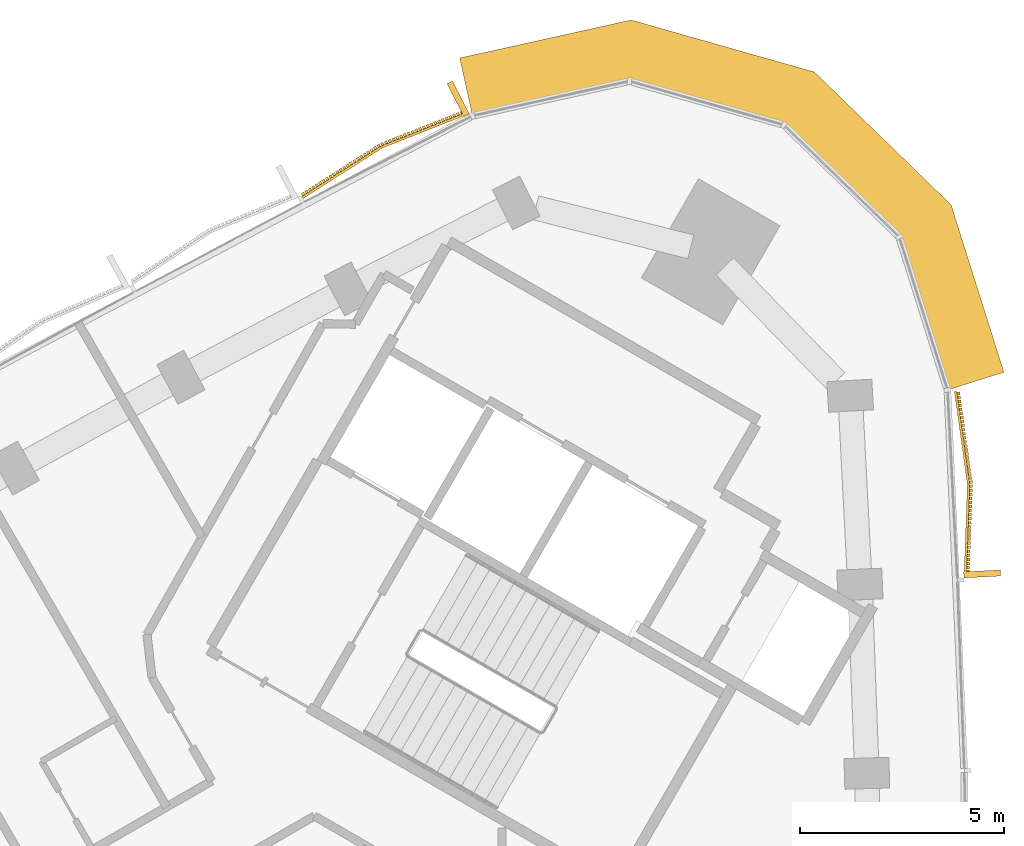
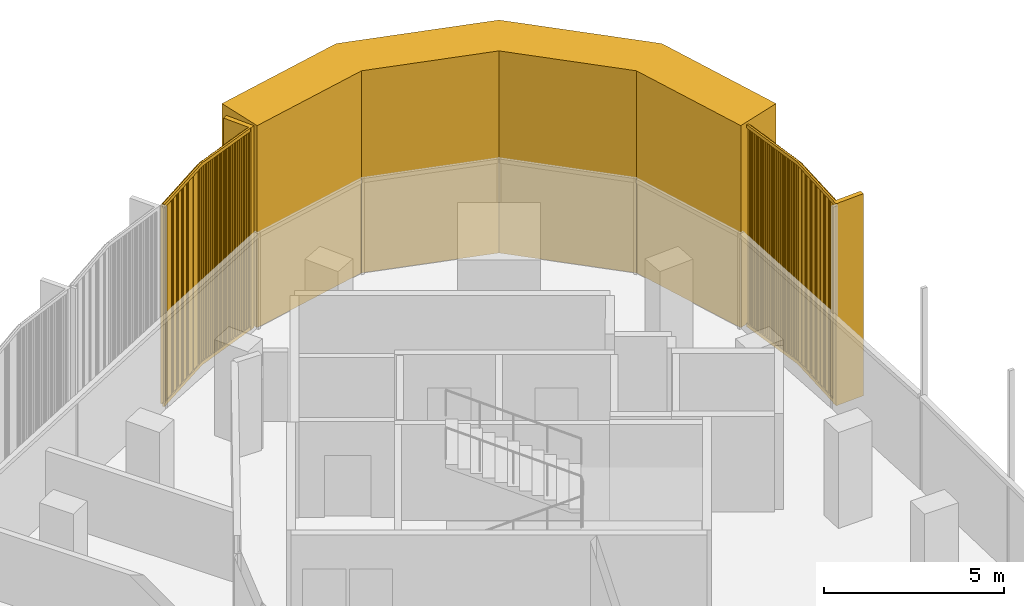
# One storey, part 16 of 16: 3 coverings.
"""IFC4 building model written with IfcOpenShell, lengths in metres."""

import ifcopenshell
import ifcopenshell.guid

model = None  # the IFC model being written
_history = None  # IfcOwnerHistory: only IFC2X3 demands one
_inside = {}  # id of a spatial element -> (the spatial element, [elements in it])
_under = {}  # id of a project, library or spatial element -> (it, [spatial elements below it])
_declared = {}  # id of a project -> (the project, [libraries it declares])
_typed = {}  # id of a type object -> (the type object, [elements of that type])
_made_of = {}  # id of a material, layer set ... -> (it, [elements and type objects made of it])


def new_model(schema):
    """Start an empty IFC model of exactly this schema.

    Asked for "IFC4X3", IfcOpenShell would pick the latest addendum, in which some entities
    have other attributes; the version numbers below select the first issue.
    IFC2X3 requires an IfcOwnerHistory on every rooted entity: one is made here for all.
    """
    global model, _history
    if schema == "IFC4X3":
        model = ifcopenshell.file(schema_version=(4, 3, 0, 0))
    else:
        model = ifcopenshell.file(schema=schema)
    _inside.clear()
    _under.clear()
    _declared.clear()
    _typed.clear()
    _made_of.clear()
    _history = None
    if model.schema == "IFC2X3":
        org = make("IfcOrganization", Name="unknown")
        user = make(
            "IfcPersonAndOrganization",
            ThePerson=make("IfcPerson", FamilyName="unknown"),
            TheOrganization=org,
        )
        app = make(
            "IfcApplication",
            ApplicationDeveloper=org,
            Version="unknown",
            ApplicationFullName="unknown",
            ApplicationIdentifier="unknown",
        )
        _history = make(
            "IfcOwnerHistory",
            OwningUser=user,
            OwningApplication=app,
            ChangeAction="ADDED",
            CreationDate=0,
        )
    return model


def make(cls, **values):
    """One entity of the class cls with the attributes given. An attribute that is None is left unset."""
    return model.create_entity(
        cls, **{name: value for name, value in values.items() if value is not None}
    )


def rooted(cls, **values):
    """An entity with a GlobalId (a new one), such as an element, a storey or a relation."""
    return make(cls, GlobalId=ifcopenshell.guid.new(), OwnerHistory=_history, **values)


def si_unit(unit_type, name, prefix=None):
    """IfcSIUnit, for example si_unit("LENGTHUNIT", "METRE", prefix="MILLI")."""
    return make("IfcSIUnit", UnitType=unit_type, Prefix=prefix, Name=name)


def assignment(units):
    """IfcUnitAssignment: the units of a project."""
    return None if units is None else make("IfcUnitAssignment", Units=units)


def point(xyz):
    """IfcCartesianPoint."""
    return None if xyz is None else make("IfcCartesianPoint", Coordinates=xyz)


def direction(xyz):
    """IfcDirection."""
    return None if xyz is None else make("IfcDirection", DirectionRatios=xyz)


def frame(location, z_axis=None, x_axis=None):
    """IfcAxis2Placement3D, a coordinate frame: its origin and axes. An axis left out is left unset."""
    return make(
        "IfcAxis2Placement3D",
        Location=point(location),
        Axis=direction(z_axis),
        RefDirection=direction(x_axis),
    )


def frame_2d(location, x_axis=None):
    """IfcAxis2Placement2D, a coordinate frame in the plane: its origin and x axis."""
    return make(
        "IfcAxis2Placement2D", Location=point(location), RefDirection=direction(x_axis)
    )


def origin():
    """The frame at (0, 0, 0) with its axes left unset."""
    return frame((0.0, 0.0, 0.0))


def place(relative_to, where):
    """IfcLocalPlacement: puts the frame where relative to a parent placement (None: the world)."""
    return make(
        "IfcLocalPlacement", PlacementRelTo=relative_to, RelativePlacement=where
    )


def context(
    kind, dimensions, precision=None, world=None, true_north=None, identifier=None
):
    """IfcGeometricRepresentationContext, for example the 3D "Model" context."""
    return make(
        "IfcGeometricRepresentationContext",
        ContextIdentifier=identifier,
        ContextType=kind,
        CoordinateSpaceDimension=dimensions,
        Precision=precision,
        WorldCoordinateSystem=world,
        TrueNorth=true_north,
    )


def subcontext(parent, identifier, kind, view, scale=None):
    """IfcGeometricRepresentationSubContext, for example "Body" below "Model"."""
    return make(
        "IfcGeometricRepresentationSubContext",
        ContextIdentifier=identifier,
        ContextType=kind,
        ParentContext=parent,
        TargetScale=scale,
        TargetView=view,
    )


def project(units=None, contexts=None):
    """IfcProject with its units and contexts."""
    return rooted(
        "IfcProject",
        Name="project",
        RepresentationContexts=contexts,
        UnitsInContext=assignment(units),
    )


def spatial(cls, under=None, at=None, **own):
    """A site, building, storey or space (cls), placed at a placement, below another one or the project."""
    s = rooted(cls, ObjectPlacement=at, **own)
    if under is not None:
        _under.setdefault(under.id(), (under, []))[1].append(s)
    return s


def polyline(points):
    """IfcPolyline through the points."""
    return make("IfcPolyline", Points=[point(p) for p in points])


def profile(cls, at=None, kind="AREA", **sizes):
    """A parametric profile (cls). Its sizes go by their IFC names, for example OverallWidth=200.0."""
    return make(cls, ProfileType=kind, Position=at, **sizes)


def rectangle(**sizes):
    """IfcRectangleProfileDef."""
    return profile("IfcRectangleProfileDef", **sizes)


def outline(outer, holes=None, kind="AREA"):
    """IfcArbitraryClosedProfileDef: a profile drawn as a closed curve; with holes, ...WithVoids."""
    if holes is None:
        return make("IfcArbitraryClosedProfileDef", ProfileType=kind, OuterCurve=outer)
    return make(
        "IfcArbitraryProfileDefWithVoids",
        ProfileType=kind,
        OuterCurve=outer,
        InnerCurves=holes,
    )


def extrude(swept, where, along, depth):
    """IfcExtrudedAreaSolid: the profile swept, set in the frame where, extruded along a direction by depth."""
    return make(
        "IfcExtrudedAreaSolid",
        SweptArea=swept,
        Position=where,
        ExtrudedDirection=direction(along),
        Depth=depth,
    )


def shape(context_of_items, identifier, shape_type, items):
    """IfcShapeRepresentation: the items that make up one representation, for example the "Body"."""
    return make(
        "IfcShapeRepresentation",
        ContextOfItems=context_of_items,
        RepresentationIdentifier=identifier,
        RepresentationType=shape_type,
        Items=items,
    )


def source(mapping_origin, context_of_items, identifier, shape_type, items):
    """IfcRepresentationMap: a shape defined once, which mapped items show again and again."""
    return make(
        "IfcRepresentationMap",
        MappingOrigin=mapping_origin,
        MappedRepresentation=shape(context_of_items, identifier, shape_type, items),
    )


def transform(
    local_origin,
    x_axis=None,
    y_axis=None,
    z_axis=None,
    scale=None,
    scale2=None,
    scale3=None,
    uniform=True,
):
    """IfcCartesianTransformationOperator3D, or its non-uniform kind. x_axis, y_axis, z_axis: its Axis1, 2, 3."""
    if uniform:
        return make(
            "IfcCartesianTransformationOperator3D",
            Axis1=direction(x_axis),
            Axis2=direction(y_axis),
            LocalOrigin=point(local_origin),
            Scale=scale,
            Axis3=direction(z_axis),
        )
    return make(
        "IfcCartesianTransformationOperator3DnonUniform",
        Axis1=direction(x_axis),
        Axis2=direction(y_axis),
        LocalOrigin=point(local_origin),
        Scale=scale,
        Axis3=direction(z_axis),
        Scale2=scale2,
        Scale3=scale3,
    )


def mapped(mapping_source, mapping_target):
    """IfcMappedItem: shows the shape of a source again, moved by a transform."""
    return make(
        "IfcMappedItem", MappingSource=mapping_source, MappingTarget=mapping_target
    )


def material(Name=None, Category=None):
    """IfcMaterial."""
    return make("IfcMaterial", Name=Name, Category=Category)


def layer(
    of_material, thickness, ventilated=None, Name=None, Category=None, Priority=None
):
    """IfcMaterialLayer: one layer of a wall or slab, of a material (None: an air gap)."""
    return make(
        "IfcMaterialLayer",
        Material=of_material,
        LayerThickness=thickness,
        IsVentilated=ventilated,
        Name=Name,
        Category=Category,
        Priority=Priority,
    )


def layer_set(layers, Name=None):
    """IfcMaterialLayerSet."""
    return make("IfcMaterialLayerSet", MaterialLayers=layers, LayerSetName=Name)


def made_of(thing, what):
    """Note that an element or type object is made of a material, layer set ...; save() writes the relation."""
    if what is not None:
        _made_of.setdefault(what.id(), (what, []))[1].append(thing)
    return thing


def type_object(cls, material=None, **own):
    """A type object (cls), such as IfcWallType, which elements share."""
    return made_of(rooted(cls, **own), material)


def element(
    cls,
    number,
    at=None,
    inside=None,
    cuts=None,
    type_object=None,
    material=None,
    context=None,
    identifier="Body",
    shape_type=None,
    held_by="IfcProductDefinitionShape",
    body=None,
    shapes=None,
    **own,
):
    """One element of the class cls, such as IfcWall. Its Tag is "e" and its number.

    at: its placement. inside: the storey or other place that contains it. cuts: it is an
    opening in that element (IfcRelVoidsElement). A single representation is given by context,
    identifier, shape_type and body (its items); several are given by shapes. held_by: the class
    of the entity that holds the representations. save() writes the other relations.
    """
    e = rooted(cls, Tag="e%d" % number, ObjectPlacement=at, **own)
    if body is not None:
        shapes = [shape(context, identifier, shape_type, body)]
    if shapes is not None:
        e.Representation = make(held_by, Representations=shapes)
    if inside is not None:
        _inside.setdefault(inside.id(), (inside, []))[1].append(e)
    if cuts is not None:
        rooted(
            "IfcRelVoidsElement", RelatingBuildingElement=cuts, RelatedOpeningElement=e
        )
    if type_object is not None:
        _typed.setdefault(type_object.id(), (type_object, []))[1].append(e)
    return made_of(e, material)


def aggregate(whole, parts):
    """IfcRelAggregates: a whole, such as a stair, and the parts it consists of."""
    return rooted("IfcRelAggregates", RelatingObject=whole, RelatedObjects=parts)


def save(model, path):
    """Write the relations noted so far, then the file.

    IfcRelAggregates (storeys below a building ...), IfcRelContainedInSpatialStructure (elements
    in a storey), IfcRelDefinesByType, IfcRelAssociatesMaterial and IfcRelDeclares: one each for
    every whole, place, type object, material and project.
    """
    for whole, parts in _under.values():
        aggregate(whole, parts)
    for where, things in _inside.values():
        rooted(
            "IfcRelContainedInSpatialStructure",
            RelatedElements=things,
            RelatingStructure=where,
        )
    for kind, things in _typed.values():
        rooted("IfcRelDefinesByType", RelatedObjects=things, RelatingType=kind)
    for what, things in _made_of.values():
        rooted("IfcRelAssociatesMaterial", RelatedObjects=things, RelatingMaterial=what)
    for by, libraries in _declared.values():
        rooted("IfcRelDeclares", RelatingContext=by, RelatedDefinitions=libraries)
    model.write(path)


model = new_model("IFC4")

# Units and contexts
model_context = context("Model", 3, precision=1e-05, world=origin(), true_north=direction((0.0, 1.0)))
body_context = subcontext(model_context, "Body", "Model", "MODEL_VIEW")
ifc_project = project(units=[si_unit("LENGTHUNIT", "METRE"), si_unit("AREAUNIT", "SQUARE_METRE"), si_unit("VOLUMEUNIT", "CUBIC_METRE"), si_unit("PLANEANGLEUNIT", "RADIAN"), si_unit("MASSUNIT", "GRAM", prefix="KILO")], contexts=[model_context])

# Site, building, storey
site_placement = place(None, origin())
site = spatial("IfcSite", under=ifc_project, at=site_placement, CompositionType="ELEMENT")
building_placement = place(site_placement, origin())
building = spatial("IfcBuilding", under=site, at=building_placement, Name="Tamra Quay Hotel Tower", CompositionType="ELEMENT")
storey_placement = place(building_placement, frame((0.0, 0.0, 232.199951171875)))
storey = spatial("IfcBuildingStorey", under=building, at=storey_placement, Name="L58", CompositionType="ELEMENT", Elevation=232.199951171875)

# Coverings
ifc_material_1 = material(Name="Precast concrete M60 terracotta-coloured", Category="masonry")
ifc_layer = layer(ifc_material_1, 1.449951171875)
ifc_layer_set = layer_set([ifc_layer], Name="CORNER PIER PANEL")
covering_type_1 = type_object("IfcCoveringType", Name="CORNER PIER PANEL", PredefinedType="CLADDING", material=ifc_layer_set)
covering_1_placement = place(storey_placement, origin())
element("IfcCovering", 1, at=covering_1_placement, inside=storey, type_object=covering_type_1, Name="Corner pier L58.east", PredefinedType="CLADDING", context=body_context, shape_type="SweptSolid", body=[
    extrude(outline(polyline([(18.50732421875, 18.63037109375), (19.89013671875, 19.066650390625), (18.5966796875, 23.165771484375), (15.250732421875, 26.415283203125), (10.763671875, 27.68798828125), (6.567138671875, 26.758544921875), (6.880615234375, 25.343017578125), (10.719970703125, 26.193115234375), (14.503173828125, 25.1201171875), (17.323974609375, 22.38037109375), (18.50732421875, 18.63037109375)])), origin(), (0.0, 0.0, 1.0), 6.85009765625),
])
ifc_material_2 = material(Name="Terracotta baguette extruded", Category="masonry")
covering_type_2 = type_object("IfcCoveringType", Name="BAGUETTE SCREEN E-V H6850", PredefinedType="USERDEFINED", material=ifc_material_2)
shared_shape_1 = source(origin(), body_context, "Body", "SweptSolid", [
    extrude(rectangle(XDim=2.291259765625, YDim=0.06005859375, at=frame_2d((1.1455078125, 0.030029296875))), frame((-2.287841796875, -0.057861328125, -0.1201171875), z_axis=(0.0, 0.0, 1.0), x_axis=(0.996194698092, -0.087155742748, 0.0)), (0.0, 0.0, 1.0), 0.1201171875),
    extrude(rectangle(XDim=2.291259765625, YDim=0.06005859375, at=frame_2d((1.1455078125, 0.030029296875))), frame((-2.287841796875, -0.057861328125, -6.85009765625), z_axis=(0.0, 0.0, 1.0), x_axis=(0.996194698092, -0.087155742748, 0.0)), (0.0, 0.0, 1.0), 0.1201171875),
    extrude(rectangle(XDim=0.070068359375, YDim=0.10009765625, at=frame_2d((0.03515625, 0.050048828125))), frame((-2.267822265625, -0.13232421875, -6.7900390625)), (0.0, 0.0, 1.0), 6.72998046875),
    extrude(rectangle(XDim=0.070068359375, YDim=0.10009765625, at=frame_2d((0.03515625, 0.050048828125))), frame((-2.168701171875, -0.14111328125, -6.7900390625)), (0.0, 0.0, 1.0), 6.72998046875),
    extrude(rectangle(XDim=0.070068359375, YDim=0.10009765625, at=frame_2d((0.03515625, 0.050048828125))), frame((-2.0693359375, -0.149658203125, -6.7900390625)), (0.0, 0.0, 1.0), 6.72998046875),
    extrude(rectangle(XDim=0.070068359375, YDim=0.10009765625, at=frame_2d((0.03515625, 0.050048828125))), frame((-1.97021484375, -0.158447265625, -6.7900390625)), (0.0, 0.0, 1.0), 6.72998046875),
    extrude(rectangle(XDim=0.070068359375, YDim=0.10009765625, at=frame_2d((0.03515625, 0.050048828125))), frame((-1.870849609375, -0.1669921875, -6.7900390625)), (0.0, 0.0, 1.0), 6.72998046875),
    extrude(rectangle(XDim=0.070068359375, YDim=0.10009765625, at=frame_2d((0.03515625, 0.050048828125))), frame((-1.771728515625, -0.17578125, -6.7900390625)), (0.0, 0.0, 1.0), 6.72998046875),
    extrude(rectangle(XDim=0.070068359375, YDim=0.10009765625, at=frame_2d((0.03515625, 0.050048828125))), frame((-1.67236328125, -0.184326171875, -6.7900390625)), (0.0, 0.0, 1.0), 6.72998046875),
    extrude(rectangle(XDim=0.070068359375, YDim=0.10009765625, at=frame_2d((0.03515625, 0.050048828125))), frame((-1.5732421875, -0.193115234375, -6.7900390625)), (0.0, 0.0, 1.0), 6.72998046875),
    extrude(rectangle(XDim=0.070068359375, YDim=0.10009765625, at=frame_2d((0.03515625, 0.050048828125))), frame((-1.473876953125, -0.201904296875, -6.7900390625)), (0.0, 0.0, 1.0), 6.72998046875),
    extrude(rectangle(XDim=0.070068359375, YDim=0.10009765625, at=frame_2d((0.03515625, 0.050048828125))), frame((-1.374755859375, -0.21044921875, -6.7900390625)), (0.0, 0.0, 1.0), 6.72998046875),
    extrude(rectangle(XDim=0.070068359375, YDim=0.10009765625, at=frame_2d((0.03515625, 0.050048828125))), frame((-1.275390625, -0.21923828125, -6.7900390625)), (0.0, 0.0, 1.0), 6.72998046875),
    extrude(rectangle(XDim=0.070068359375, YDim=0.10009765625, at=frame_2d((0.03515625, 0.050048828125))), frame((-1.17626953125, -0.227783203125, -6.7900390625)), (0.0, 0.0, 1.0), 6.72998046875),
    extrude(rectangle(XDim=0.070068359375, YDim=0.10009765625, at=frame_2d((0.03515625, 0.050048828125))), frame((-1.076904296875, -0.236572265625, -6.7900390625)), (0.0, 0.0, 1.0), 6.72998046875),
    extrude(rectangle(XDim=0.070068359375, YDim=0.10009765625, at=frame_2d((0.03515625, 0.050048828125))), frame((-0.977783203125, -0.2451171875, -6.7900390625)), (0.0, 0.0, 1.0), 6.72998046875),
    extrude(rectangle(XDim=0.070068359375, YDim=0.10009765625, at=frame_2d((0.03515625, 0.050048828125))), frame((-0.87841796875, -0.25390625, -6.7900390625)), (0.0, 0.0, 1.0), 6.72998046875),
    extrude(rectangle(XDim=0.070068359375, YDim=0.10009765625, at=frame_2d((0.03515625, 0.050048828125))), frame((-0.779296875, -0.2626953125, -6.7900390625)), (0.0, 0.0, 1.0), 6.72998046875),
    extrude(rectangle(XDim=0.070068359375, YDim=0.10009765625, at=frame_2d((0.03515625, 0.050048828125))), frame((-0.679931640625, -0.271240234375, -6.7900390625)), (0.0, 0.0, 1.0), 6.72998046875),
    extrude(rectangle(XDim=0.070068359375, YDim=0.10009765625, at=frame_2d((0.03515625, 0.050048828125))), frame((-0.580810546875, -0.280029296875, -6.7900390625)), (0.0, 0.0, 1.0), 6.72998046875),
    extrude(rectangle(XDim=0.070068359375, YDim=0.10009765625, at=frame_2d((0.03515625, 0.050048828125))), frame((-0.481689453125, -0.28857421875, -6.7900390625)), (0.0, 0.0, 1.0), 6.72998046875),
    extrude(rectangle(XDim=0.070068359375, YDim=0.10009765625, at=frame_2d((0.03515625, 0.050048828125))), frame((-0.38232421875, -0.29736328125, -6.7900390625)), (0.0, 0.0, 1.0), 6.72998046875),
    extrude(rectangle(XDim=0.070068359375, YDim=0.10009765625, at=frame_2d((0.03515625, 0.050048828125))), frame((-0.283203125, -0.305908203125, -6.7900390625)), (0.0, 0.0, 1.0), 6.72998046875),
    extrude(rectangle(XDim=0.070068359375, YDim=0.10009765625, at=frame_2d((0.03515625, 0.050048828125))), frame((-0.183837890625, -0.314697265625, -6.7900390625)), (0.0, 0.0, 1.0), 6.72998046875),
    extrude(rectangle(XDim=0.070068359375, YDim=0.10009765625, at=frame_2d((0.03515625, 0.050048828125))), frame((-0.084716796875, -0.3232421875, -6.7900390625)), (0.0, 0.0, 1.0), 6.72998046875),
    extrude(rectangle(XDim=2.291259765625, YDim=0.06005859375, at=frame_2d((1.1455078125, 0.030029296875))), frame((0.005126953125, -0.257568359375, -0.1201171875), z_axis=(0.0, 0.0, 1.0), x_axis=(0.996194698092, 0.087155742748, 0.0)), (0.0, 0.0, 1.0), 0.1201171875),
    extrude(rectangle(XDim=2.291259765625, YDim=0.06005859375, at=frame_2d((1.1455078125, 0.030029296875))), frame((0.005126953125, -0.257568359375, -6.85009765625), z_axis=(0.0, 0.0, 1.0), x_axis=(0.996194698092, 0.087155742748, 0.0)), (0.0, 0.0, 1.0), 0.1201171875),
    extrude(rectangle(XDim=0.070068359375, YDim=0.10009765625, at=frame_2d((0.03515625, 0.050048828125))), frame((0.0146484375, -0.3232421875, -6.7900390625)), (0.0, 0.0, 1.0), 6.72998046875),
    extrude(rectangle(XDim=0.070068359375, YDim=0.10009765625, at=frame_2d((0.03515625, 0.050048828125))), frame((0.11376953125, -0.314697265625, -6.7900390625)), (0.0, 0.0, 1.0), 6.72998046875),
    extrude(rectangle(XDim=0.070068359375, YDim=0.10009765625, at=frame_2d((0.03515625, 0.050048828125))), frame((0.213134765625, -0.305908203125, -6.7900390625)), (0.0, 0.0, 1.0), 6.72998046875),
    extrude(rectangle(XDim=0.070068359375, YDim=0.10009765625, at=frame_2d((0.03515625, 0.050048828125))), frame((0.312255859375, -0.29736328125, -6.7900390625)), (0.0, 0.0, 1.0), 6.72998046875),
    extrude(rectangle(XDim=0.070068359375, YDim=0.10009765625, at=frame_2d((0.03515625, 0.050048828125))), frame((0.41162109375, -0.28857421875, -6.7900390625)), (0.0, 0.0, 1.0), 6.72998046875),
    extrude(rectangle(XDim=0.070068359375, YDim=0.10009765625, at=frame_2d((0.03515625, 0.050048828125))), frame((0.5107421875, -0.280029296875, -6.7900390625)), (0.0, 0.0, 1.0), 6.72998046875),
    extrude(rectangle(XDim=0.070068359375, YDim=0.10009765625, at=frame_2d((0.03515625, 0.050048828125))), frame((0.610107421875, -0.271240234375, -6.7900390625)), (0.0, 0.0, 1.0), 6.72998046875),
    extrude(rectangle(XDim=0.070068359375, YDim=0.10009765625, at=frame_2d((0.03515625, 0.050048828125))), frame((0.709228515625, -0.2626953125, -6.7900390625)), (0.0, 0.0, 1.0), 6.72998046875),
    extrude(rectangle(XDim=0.070068359375, YDim=0.10009765625, at=frame_2d((0.03515625, 0.050048828125))), frame((0.80859375, -0.25390625, -6.7900390625)), (0.0, 0.0, 1.0), 6.72998046875),
    extrude(rectangle(XDim=0.070068359375, YDim=0.10009765625, at=frame_2d((0.03515625, 0.050048828125))), frame((0.90771484375, -0.2451171875, -6.7900390625)), (0.0, 0.0, 1.0), 6.72998046875),
    extrude(rectangle(XDim=0.070068359375, YDim=0.10009765625, at=frame_2d((0.03515625, 0.050048828125))), frame((1.007080078125, -0.236572265625, -6.7900390625)), (0.0, 0.0, 1.0), 6.72998046875),
    extrude(rectangle(XDim=0.070068359375, YDim=0.10009765625, at=frame_2d((0.03515625, 0.050048828125))), frame((1.106201171875, -0.227783203125, -6.7900390625)), (0.0, 0.0, 1.0), 6.72998046875),
    extrude(rectangle(XDim=0.070068359375, YDim=0.10009765625, at=frame_2d((0.03515625, 0.050048828125))), frame((1.20556640625, -0.21923828125, -6.7900390625)), (0.0, 0.0, 1.0), 6.72998046875),
    extrude(rectangle(XDim=0.070068359375, YDim=0.10009765625, at=frame_2d((0.03515625, 0.050048828125))), frame((1.3046875, -0.21044921875, -6.7900390625)), (0.0, 0.0, 1.0), 6.72998046875),
    extrude(rectangle(XDim=0.070068359375, YDim=0.10009765625, at=frame_2d((0.03515625, 0.050048828125))), frame((1.404052734375, -0.201904296875, -6.7900390625)), (0.0, 0.0, 1.0), 6.72998046875),
    extrude(rectangle(XDim=0.070068359375, YDim=0.10009765625, at=frame_2d((0.03515625, 0.050048828125))), frame((1.503173828125, -0.193115234375, -6.7900390625)), (0.0, 0.0, 1.0), 6.72998046875),
    extrude(rectangle(XDim=0.070068359375, YDim=0.10009765625, at=frame_2d((0.03515625, 0.050048828125))), frame((1.6025390625, -0.184326171875, -6.7900390625)), (0.0, 0.0, 1.0), 6.72998046875),
    extrude(rectangle(XDim=0.070068359375, YDim=0.10009765625, at=frame_2d((0.03515625, 0.050048828125))), frame((1.70166015625, -0.17578125, -6.7900390625)), (0.0, 0.0, 1.0), 6.72998046875),
    extrude(rectangle(XDim=0.070068359375, YDim=0.10009765625, at=frame_2d((0.03515625, 0.050048828125))), frame((1.801025390625, -0.1669921875, -6.7900390625)), (0.0, 0.0, 1.0), 6.72998046875),
    extrude(rectangle(XDim=0.070068359375, YDim=0.10009765625, at=frame_2d((0.03515625, 0.050048828125))), frame((1.900146484375, -0.158447265625, -6.7900390625)), (0.0, 0.0, 1.0), 6.72998046875),
    extrude(rectangle(XDim=0.070068359375, YDim=0.10009765625, at=frame_2d((0.03515625, 0.050048828125))), frame((1.99951171875, -0.149658203125, -6.7900390625)), (0.0, 0.0, 1.0), 6.72998046875),
    extrude(rectangle(XDim=0.070068359375, YDim=0.10009765625, at=frame_2d((0.03515625, 0.050048828125))), frame((2.0986328125, -0.14111328125, -6.7900390625)), (0.0, 0.0, 1.0), 6.72998046875),
    extrude(rectangle(XDim=0.070068359375, YDim=0.10009765625, at=frame_2d((0.03515625, 0.050048828125))), frame((2.197998046875, -0.13232421875, -6.7900390625)), (0.0, 0.0, 1.0), 6.72998046875),
    extrude(rectangle(XDim=0.14990234375, YDim=0.902099609375, at=frame_2d((0.074951171875, 0.451171875))), frame((-2.282470703125, -0.89990234375, -6.85009765625)), (0.0, 0.0, 1.0), 6.85009765625),
])
covering_2_placement = place(storey_placement, frame((18.794921875, 16.31201171875, 6.85009765625), z_axis=(0.0, 0.0, 1.0), x_axis=(-0.05140283052, 0.998678000666, 0.0)))
element("IfcCovering", 2, at=covering_2_placement, inside=storey, type_object=covering_type_2, Name="Baguette screen L58.E.f07", ObjectType="BAGUETTE SCREEN", PredefinedType="USERDEFINED", context=body_context, shape_type="MappedRepresentation", body=[
    mapped(shared_shape_1, transform((0.0, 0.0, 0.0), scale=1.0)),
])
covering_type_3 = type_object("IfcCoveringType", Name="BAGUETTE SCREEN NW-V H6850", PredefinedType="USERDEFINED", material=ifc_material_2)
shared_shape_2 = source(origin(), body_context, "Body", "SweptSolid", [
    extrude(rectangle(XDim=2.29296875, YDim=0.06005859375, at=frame_2d((1.146484375, 0.030029296875))), frame((-2.288330078125, -0.0576171875, -0.1201171875), z_axis=(0.0, 0.0, 1.0), x_axis=(0.995396198367, -0.09584575252, 0.0)), (0.0, 0.0, 1.0), 0.1201171875),
    extrude(rectangle(XDim=2.29296875, YDim=0.06005859375, at=frame_2d((1.146484375, 0.030029296875))), frame((-2.288330078125, -0.0576171875, -6.85009765625), z_axis=(0.0, 0.0, 1.0), x_axis=(0.995396198367, -0.09584575252, 0.0)), (0.0, 0.0, 1.0), 0.1201171875),
    extrude(rectangle(XDim=0.070068359375, YDim=0.10009765625, at=frame_2d((0.03515625, 0.050048828125))), frame((-2.267822265625, -0.1328125, -6.7900390625)), (0.0, 0.0, 1.0), 6.72998046875),
    extrude(rectangle(XDim=0.070068359375, YDim=0.10009765625, at=frame_2d((0.03515625, 0.050048828125))), frame((-2.168701171875, -0.142333984375, -6.7900390625)), (0.0, 0.0, 1.0), 6.72998046875),
    extrude(rectangle(XDim=0.070068359375, YDim=0.10009765625, at=frame_2d((0.03515625, 0.050048828125))), frame((-2.0693359375, -0.15185546875, -6.7900390625)), (0.0, 0.0, 1.0), 6.72998046875),
    extrude(rectangle(XDim=0.070068359375, YDim=0.10009765625, at=frame_2d((0.03515625, 0.050048828125))), frame((-1.97021484375, -0.161376953125, -6.7900390625)), (0.0, 0.0, 1.0), 6.72998046875),
    extrude(rectangle(XDim=0.070068359375, YDim=0.10009765625, at=frame_2d((0.03515625, 0.050048828125))), frame((-1.870849609375, -0.1708984375, -6.7900390625)), (0.0, 0.0, 1.0), 6.72998046875),
    extrude(rectangle(XDim=0.070068359375, YDim=0.10009765625, at=frame_2d((0.03515625, 0.050048828125))), frame((-1.771728515625, -0.1806640625, -6.7900390625)), (0.0, 0.0, 1.0), 6.72998046875),
    extrude(rectangle(XDim=0.070068359375, YDim=0.10009765625, at=frame_2d((0.03515625, 0.050048828125))), frame((-1.67236328125, -0.190185546875, -6.7900390625)), (0.0, 0.0, 1.0), 6.72998046875),
    extrude(rectangle(XDim=0.070068359375, YDim=0.10009765625, at=frame_2d((0.03515625, 0.050048828125))), frame((-1.5732421875, -0.19970703125, -6.7900390625)), (0.0, 0.0, 1.0), 6.72998046875),
    extrude(rectangle(XDim=0.070068359375, YDim=0.10009765625, at=frame_2d((0.03515625, 0.050048828125))), frame((-1.473876953125, -0.209228515625, -6.7900390625)), (0.0, 0.0, 1.0), 6.72998046875),
    extrude(rectangle(XDim=0.070068359375, YDim=0.10009765625, at=frame_2d((0.03515625, 0.050048828125))), frame((-1.374755859375, -0.21875, -6.7900390625)), (0.0, 0.0, 1.0), 6.72998046875),
    extrude(rectangle(XDim=0.070068359375, YDim=0.10009765625, at=frame_2d((0.03515625, 0.050048828125))), frame((-1.275390625, -0.228271484375, -6.7900390625)), (0.0, 0.0, 1.0), 6.72998046875),
    extrude(rectangle(XDim=0.070068359375, YDim=0.10009765625, at=frame_2d((0.03515625, 0.050048828125))), frame((-1.17626953125, -0.23779296875, -6.7900390625)), (0.0, 0.0, 1.0), 6.72998046875),
    extrude(rectangle(XDim=0.070068359375, YDim=0.10009765625, at=frame_2d((0.03515625, 0.050048828125))), frame((-1.076904296875, -0.24755859375, -6.7900390625)), (0.0, 0.0, 1.0), 6.72998046875),
    extrude(rectangle(XDim=0.070068359375, YDim=0.10009765625, at=frame_2d((0.03515625, 0.050048828125))), frame((-0.977783203125, -0.257080078125, -6.7900390625)), (0.0, 0.0, 1.0), 6.72998046875),
    extrude(rectangle(XDim=0.070068359375, YDim=0.10009765625, at=frame_2d((0.03515625, 0.050048828125))), frame((-0.87841796875, -0.2666015625, -6.7900390625)), (0.0, 0.0, 1.0), 6.72998046875),
    extrude(rectangle(XDim=0.070068359375, YDim=0.10009765625, at=frame_2d((0.03515625, 0.050048828125))), frame((-0.779296875, -0.276123046875, -6.7900390625)), (0.0, 0.0, 1.0), 6.72998046875),
    extrude(rectangle(XDim=0.070068359375, YDim=0.10009765625, at=frame_2d((0.03515625, 0.050048828125))), frame((-0.679931640625, -0.28564453125, -6.7900390625)), (0.0, 0.0, 1.0), 6.72998046875),
    extrude(rectangle(XDim=0.070068359375, YDim=0.10009765625, at=frame_2d((0.03515625, 0.050048828125))), frame((-0.580810546875, -0.295166015625, -6.7900390625)), (0.0, 0.0, 1.0), 6.72998046875),
    extrude(rectangle(XDim=0.070068359375, YDim=0.10009765625, at=frame_2d((0.03515625, 0.050048828125))), frame((-0.481689453125, -0.3046875, -6.7900390625)), (0.0, 0.0, 1.0), 6.72998046875),
    extrude(rectangle(XDim=0.070068359375, YDim=0.10009765625, at=frame_2d((0.03515625, 0.050048828125))), frame((-0.38232421875, -0.314453125, -6.7900390625)), (0.0, 0.0, 1.0), 6.72998046875),
    extrude(rectangle(XDim=0.070068359375, YDim=0.10009765625, at=frame_2d((0.03515625, 0.050048828125))), frame((-0.283203125, -0.323974609375, -6.7900390625)), (0.0, 0.0, 1.0), 6.72998046875),
    extrude(rectangle(XDim=0.070068359375, YDim=0.10009765625, at=frame_2d((0.03515625, 0.050048828125))), frame((-0.183837890625, -0.33349609375, -6.7900390625)), (0.0, 0.0, 1.0), 6.72998046875),
    extrude(rectangle(XDim=0.070068359375, YDim=0.10009765625, at=frame_2d((0.03515625, 0.050048828125))), frame((-0.084716796875, -0.343017578125, -6.7900390625)), (0.0, 0.0, 1.0), 6.72998046875),
    extrude(rectangle(XDim=2.29296875, YDim=0.06005859375, at=frame_2d((1.146484375, 0.030029296875))), frame((0.005859375, -0.277587890625, -0.1201171875), z_axis=(0.0, 0.0, 1.0), x_axis=(0.995396198367, 0.09584575252, 0.0)), (0.0, 0.0, 1.0), 0.1201171875),
    extrude(rectangle(XDim=2.29296875, YDim=0.06005859375, at=frame_2d((1.146484375, 0.030029296875))), frame((0.005859375, -0.277587890625, -6.85009765625), z_axis=(0.0, 0.0, 1.0), x_axis=(0.995396198367, 0.09584575252, 0.0)), (0.0, 0.0, 1.0), 0.1201171875),
    extrude(rectangle(XDim=0.070068359375, YDim=0.10009765625, at=frame_2d((0.03515625, 0.050048828125))), frame((0.0146484375, -0.343017578125, -6.7900390625)), (0.0, 0.0, 1.0), 6.72998046875),
    extrude(rectangle(XDim=0.070068359375, YDim=0.10009765625, at=frame_2d((0.03515625, 0.050048828125))), frame((0.11376953125, -0.33349609375, -6.7900390625)), (0.0, 0.0, 1.0), 6.72998046875),
    extrude(rectangle(XDim=0.070068359375, YDim=0.10009765625, at=frame_2d((0.03515625, 0.050048828125))), frame((0.213134765625, -0.323974609375, -6.7900390625)), (0.0, 0.0, 1.0), 6.72998046875),
    extrude(rectangle(XDim=0.070068359375, YDim=0.10009765625, at=frame_2d((0.03515625, 0.050048828125))), frame((0.312255859375, -0.314453125, -6.7900390625)), (0.0, 0.0, 1.0), 6.72998046875),
    extrude(rectangle(XDim=0.070068359375, YDim=0.10009765625, at=frame_2d((0.03515625, 0.050048828125))), frame((0.41162109375, -0.3046875, -6.7900390625)), (0.0, 0.0, 1.0), 6.72998046875),
    extrude(rectangle(XDim=0.070068359375, YDim=0.10009765625, at=frame_2d((0.03515625, 0.050048828125))), frame((0.5107421875, -0.295166015625, -6.7900390625)), (0.0, 0.0, 1.0), 6.72998046875),
    extrude(rectangle(XDim=0.070068359375, YDim=0.10009765625, at=frame_2d((0.03515625, 0.050048828125))), frame((0.610107421875, -0.28564453125, -6.7900390625)), (0.0, 0.0, 1.0), 6.72998046875),
    extrude(rectangle(XDim=0.070068359375, YDim=0.10009765625, at=frame_2d((0.03515625, 0.050048828125))), frame((0.709228515625, -0.276123046875, -6.7900390625)), (0.0, 0.0, 1.0), 6.72998046875),
    extrude(rectangle(XDim=0.070068359375, YDim=0.10009765625, at=frame_2d((0.03515625, 0.050048828125))), frame((0.80859375, -0.2666015625, -6.7900390625)), (0.0, 0.0, 1.0), 6.72998046875),
    extrude(rectangle(XDim=0.070068359375, YDim=0.10009765625, at=frame_2d((0.03515625, 0.050048828125))), frame((0.90771484375, -0.257080078125, -6.7900390625)), (0.0, 0.0, 1.0), 6.72998046875),
    extrude(rectangle(XDim=0.070068359375, YDim=0.10009765625, at=frame_2d((0.03515625, 0.050048828125))), frame((1.007080078125, -0.24755859375, -6.7900390625)), (0.0, 0.0, 1.0), 6.72998046875),
    extrude(rectangle(XDim=0.070068359375, YDim=0.10009765625, at=frame_2d((0.03515625, 0.050048828125))), frame((1.106201171875, -0.23779296875, -6.7900390625)), (0.0, 0.0, 1.0), 6.72998046875),
    extrude(rectangle(XDim=0.070068359375, YDim=0.10009765625, at=frame_2d((0.03515625, 0.050048828125))), frame((1.20556640625, -0.228271484375, -6.7900390625)), (0.0, 0.0, 1.0), 6.72998046875),
    extrude(rectangle(XDim=0.070068359375, YDim=0.10009765625, at=frame_2d((0.03515625, 0.050048828125))), frame((1.3046875, -0.21875, -6.7900390625)), (0.0, 0.0, 1.0), 6.72998046875),
    extrude(rectangle(XDim=0.070068359375, YDim=0.10009765625, at=frame_2d((0.03515625, 0.050048828125))), frame((1.404052734375, -0.209228515625, -6.7900390625)), (0.0, 0.0, 1.0), 6.72998046875),
    extrude(rectangle(XDim=0.070068359375, YDim=0.10009765625, at=frame_2d((0.03515625, 0.050048828125))), frame((1.503173828125, -0.19970703125, -6.7900390625)), (0.0, 0.0, 1.0), 6.72998046875),
    extrude(rectangle(XDim=0.070068359375, YDim=0.10009765625, at=frame_2d((0.03515625, 0.050048828125))), frame((1.6025390625, -0.190185546875, -6.7900390625)), (0.0, 0.0, 1.0), 6.72998046875),
    extrude(rectangle(XDim=0.070068359375, YDim=0.10009765625, at=frame_2d((0.03515625, 0.050048828125))), frame((1.70166015625, -0.1806640625, -6.7900390625)), (0.0, 0.0, 1.0), 6.72998046875),
    extrude(rectangle(XDim=0.070068359375, YDim=0.10009765625, at=frame_2d((0.03515625, 0.050048828125))), frame((1.801025390625, -0.1708984375, -6.7900390625)), (0.0, 0.0, 1.0), 6.72998046875),
    extrude(rectangle(XDim=0.070068359375, YDim=0.10009765625, at=frame_2d((0.03515625, 0.050048828125))), frame((1.900146484375, -0.161376953125, -6.7900390625)), (0.0, 0.0, 1.0), 6.72998046875),
    extrude(rectangle(XDim=0.070068359375, YDim=0.10009765625, at=frame_2d((0.03515625, 0.050048828125))), frame((1.99951171875, -0.15185546875, -6.7900390625)), (0.0, 0.0, 1.0), 6.72998046875),
    extrude(rectangle(XDim=0.070068359375, YDim=0.10009765625, at=frame_2d((0.03515625, 0.050048828125))), frame((2.0986328125, -0.142333984375, -6.7900390625)), (0.0, 0.0, 1.0), 6.72998046875),
    extrude(rectangle(XDim=0.070068359375, YDim=0.10009765625, at=frame_2d((0.03515625, 0.050048828125))), frame((2.197998046875, -0.1328125, -6.7900390625)), (0.0, 0.0, 1.0), 6.72998046875),
    extrude(rectangle(XDim=0.14990234375, YDim=0.902099609375, at=frame_2d((0.074951171875, 0.451171875))), frame((-2.282470703125, -0.89990234375, -6.85009765625)), (0.0, 0.0, 1.0), 6.85009765625),
])
covering_3_placement = place(storey_placement, frame((4.767822265625, 24.357177734375, 6.85009765625), z_axis=(0.0, 0.0, 1.0), x_axis=(-0.890581934038, -0.454822843276, 0.0)))
element("IfcCovering", 3, at=covering_3_placement, inside=storey, type_object=covering_type_3, Name="Baguette screen L58.NW.f00", ObjectType="BAGUETTE SCREEN", PredefinedType="USERDEFINED", context=body_context, shape_type="MappedRepresentation", body=[
    mapped(shared_shape_2, transform((0.0, 0.0, 0.0), scale=1.0)),
])

save(model, "model.ifc")
